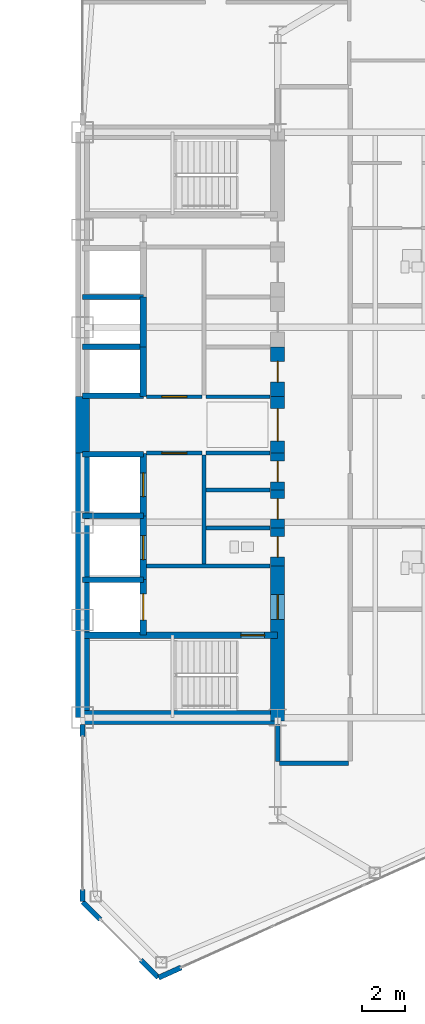
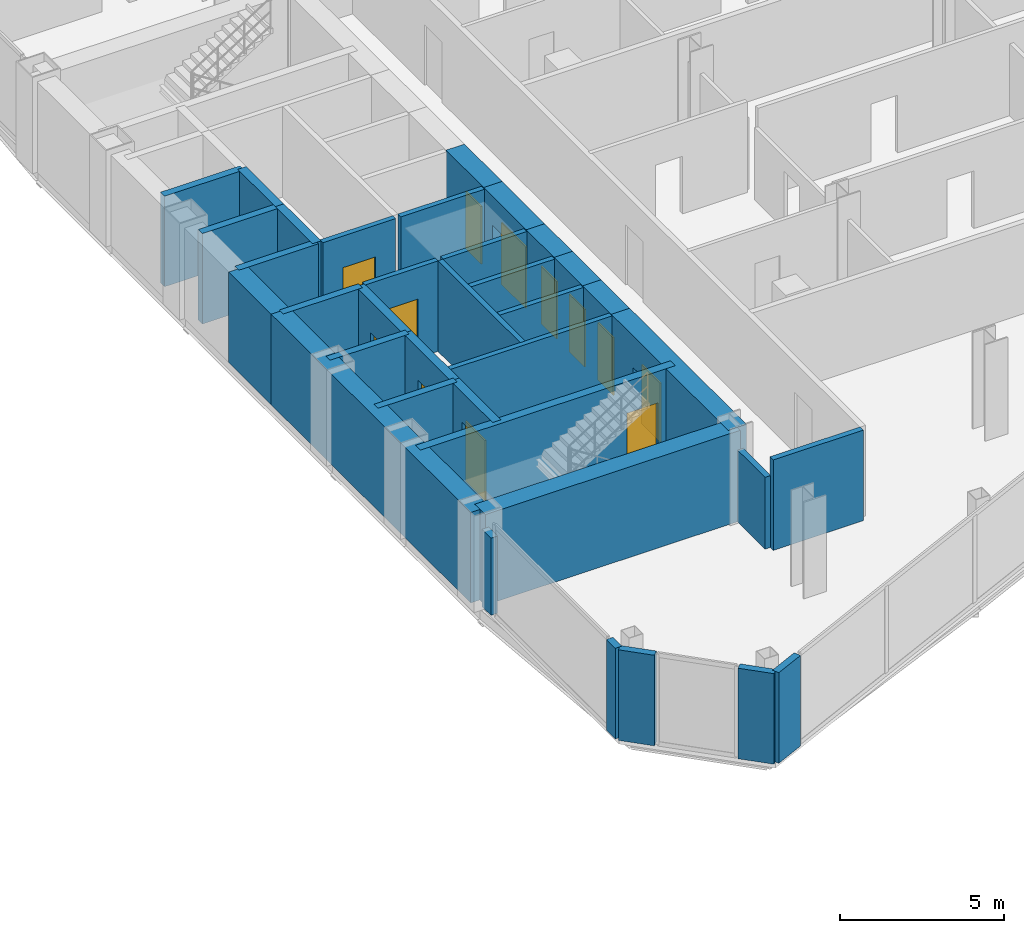
# One storey, part 22 of 27: 36 walls, 12 doors, 12 openings.
"""IFC4 building model written with IfcOpenShell, lengths in metres."""

from ifc_helpers import new_model, si_unit, direction, frame, frame_2d, origin, place, context, subcontext, project, spatial, rectangle, extrude, source, transform, mapped, material, layer, layer_set, type_object, type_shapes, element, fill, save


model = new_model("IFC4")

# Units and contexts
model_context = context("Model", 3, precision=1e-05, world=origin(), true_north=direction((0.0, 1.0)))
body_context = subcontext(model_context, "Body", "Model", "MODEL_VIEW")
ifc_project = project(units=[si_unit("LENGTHUNIT", "METRE"), si_unit("AREAUNIT", "SQUARE_METRE"), si_unit("VOLUMEUNIT", "CUBIC_METRE"), si_unit("PLANEANGLEUNIT", "RADIAN"), si_unit("MASSUNIT", "GRAM", prefix="KILO")], contexts=[model_context])

# Site, building, storey
site_placement = place(None, origin())
site = spatial("IfcSite", under=ifc_project, at=site_placement, CompositionType="ELEMENT")
building_placement = place(site_placement, origin())
building = spatial("IfcBuilding", under=site, at=building_placement, Name="Seokmaru Belvedere", CompositionType="ELEMENT")
storey_placement = place(building_placement, frame((0.0, 0.0, 76.5)))
storey = spatial("IfcBuildingStorey", under=building, at=storey_placement, Name="L20", CompositionType="ELEMENT", Elevation=76.5)

# Walls
ifc_material_1 = material(Name="Fire-Rated Gypsum Shaftwall")
ifc_layer_1 = layer(ifc_material_1, 0.179931640625)
ifc_layer_set_1 = layer_set([ifc_layer_1], Name="Fire-Rated Gypsum Shaftwall")
wall_type_1 = type_object("IfcWallType", Name="Core Service Fire Partition 180", PredefinedType="PARTITIONING", material=ifc_layer_set_1)
wall_1_placement = place(storey_placement, frame((30.449951171875, -6.5, 0.0), z_axis=(0.0, 0.0, 1.0), x_axis=(1.0, 0.0, 0.0)))
element("IfcWall", 1, at=wall_1_placement, inside=storey, type_object=wall_type_1, Name="L20 East Firefighting Lobby Partition", PredefinedType="PARTITIONING", context=body_context, shape_type="SweptSolid", body=[
    extrude(rectangle(XDim=5.699951171875, YDim=0.179931640625, at=frame_2d((2.85009765625, 0.0))), origin(), (0.0, 0.0, 1.0), 3.3798828125),
])
wall_2_placement = place(storey_placement, frame((33.10009765625, -6.419921875, 0.0), z_axis=(0.0, 0.0, 1.0), x_axis=(0.0, 1.0, 0.0)))
element("IfcWall", 2, at=wall_2_placement, inside=storey, type_object=wall_type_1, Name="L20 East South Core Service Back Wall", PredefinedType="PARTITIONING", context=body_context, shape_type="SweptSolid", body=[
    extrude(rectangle(XDim=5.0400390625, YDim=0.179931640625, at=frame_2d((2.52001953125, 0.0))), origin(), (0.0, 0.0, 1.0), 3.3798828125),
])

# Wall, opening, door
wall_3_placement = place(storey_placement, frame((30.449951171875, -1.300048828125, 0.0), z_axis=(0.0, 0.0, 1.0), x_axis=(1.0, 0.0, 0.0)))
wall_3 = element("IfcWall", 3, at=wall_3_placement, inside=storey, type_object=wall_type_1, Name="L20 East South Lift Lobby Foyer Wall", PredefinedType="PARTITIONING", context=body_context, shape_type="SweptSolid", body=[
    extrude(rectangle(XDim=2.570068359375, YDim=0.179931640625, at=frame_2d((1.28515625, 0.0))), origin(), (0.0, 0.0, 1.0), 3.3798828125),
])
opening_1_placement = place(wall_3_placement, frame((0.7099609375, 0.0, 0.0)))
opening_1 = element("IfcOpeningElement", 4, at=opening_1_placement, cuts=wall_3, Name="Opening D02", PredefinedType="OPENING", context=body_context, shape_type="SweptSolid", body=[
    extrude(rectangle(XDim=1.14990234375, YDim=2.199951171875, at=frame_2d((0.574951171875, 1.10009765625))), frame((0.0, 0.10009765625, 0.0), z_axis=(0.0, -1.0, 0.0), x_axis=(1.0, 0.0, 0.0)), (0.0, 0.0, 1.0), 0.199951171875),
])
ifc_material_2 = material(Name="Fire-Rated Steel Leaf", Category="steel")
door_type_1 = type_object("IfcDoorType", Name="Lobby and Vestibule Fire Door 1150x2200", OperationType="NOTDEFINED", PredefinedType="DOOR", material=ifc_material_2)
shared_shape_1 = source(origin(), body_context, "Body", "SweptSolid", [
    extrude(rectangle(XDim=1.14990234375, YDim=2.199951171875, at=frame_2d((0.574951171875, 1.10009765625))), frame((0.0, 0.02490234375, 0.0), z_axis=(0.0, -1.0, 0.0), x_axis=(1.0, 0.0, 0.0)), (0.0, 0.0, 1.0), 0.050048828125),
])
type_shapes(door_type_1, [shared_shape_1])
door_1_placement = place(opening_1_placement, origin())
door_1 = element("IfcDoor", 5, at=door_1_placement, inside=storey, type_object=door_type_1, Name="L20 East South Core Foyer Door", OperationType="SINGLE_SWING_RIGHT", OverallHeight=2.199951171875, OverallWidth=1.14990234375, PredefinedType="DOOR", context=body_context, shape_type="MappedRepresentation", body=[
    mapped(shared_shape_1, transform((0.0, 0.0, 0.0), scale=1.0)),
])
fill(opening_1, door_1)

wall_4_placement = place(storey_placement, frame((30.449951171875, 1.300048828125, 0.0), z_axis=(0.0, 0.0, 1.0), x_axis=(1.0, 0.0, 0.0)))
wall_4 = element("IfcWall", 6, at=wall_4_placement, inside=storey, type_object=wall_type_1, Name="L20 East North Lift Lobby Foyer Wall", PredefinedType="PARTITIONING", context=body_context, shape_type="SweptSolid", body=[
    extrude(rectangle(XDim=2.570068359375, YDim=0.179931640625, at=frame_2d((1.28515625, 0.0))), origin(), (0.0, 0.0, 1.0), 3.3798828125),
])
opening_2_placement = place(wall_4_placement, frame((0.7099609375, 0.0, 0.0)))
opening_2 = element("IfcOpeningElement", 7, at=opening_2_placement, cuts=wall_4, Name="Opening D02", PredefinedType="OPENING", context=body_context, shape_type="SweptSolid", body=[
    extrude(rectangle(XDim=1.14990234375, YDim=2.199951171875, at=frame_2d((0.574951171875, 1.10009765625))), frame((0.0, 0.10009765625, 0.0), z_axis=(0.0, -1.0, 0.0), x_axis=(1.0, 0.0, 0.0)), (0.0, 0.0, 1.0), 0.199951171875),
])
door_2_placement = place(opening_2_placement, origin())
door_2 = element("IfcDoor", 8, at=door_2_placement, inside=storey, type_object=door_type_1, Name="L20 East North Lift Lobby Door", OperationType="SINGLE_SWING_LEFT", OverallHeight=2.199951171875, OverallWidth=1.14990234375, PredefinedType="DOOR", context=body_context, shape_type="MappedRepresentation", body=[
    mapped(shared_shape_1, transform((0.0, 0.0, 0.0), scale=1.0)),
])
fill(opening_2, door_2)

# Walls
for number, where, z_axis, x_axis, name in (
    (9, (33.199951171875, -1.300048828125, 0.0), (0.0, 0.0, 1.0), (1.0, 0.0, 0.0), "L20 East Foyer Side Wall S"),
    (10, (33.199951171875, 1.300048828125, 0.0), (0.0, 0.0, 1.0), (1.0, 0.0, 0.0), "L20 East Foyer Side Wall N"),
    (11, (33.199951171875, -4.75, 0.0), (0.0, 0.0, 1.0), (1.0, 0.0, 0.0), "L20 East Core Service Partition 1"),
    (12, (33.199951171875, -3.0, 0.0), (0.0, 0.0, 1.0), (1.0, 0.0, 0.0), "L20 East Core Service Partition 2"),
):
    element("IfcWall", number, at=place(storey_placement, frame(where, z_axis=z_axis, x_axis=x_axis)), inside=storey, type_object=wall_type_1, Name=name, PredefinedType="PARTITIONING", context=body_context, shape_type="SweptSolid", body=[
        extrude(rectangle(XDim=2.949951171875, YDim=0.179931640625, at=frame_2d((1.47509765625, 0.0))), origin(), (0.0, 0.0, 1.0), 3.3798828125),
    ])
ifc_material_3 = material(Name="Concrete C50 (50 MPa)", Category="concrete")
ifc_layer_2 = layer(ifc_material_3, 0.25)
ifc_layer_set_2 = layer_set([ifc_layer_2], Name="Concrete C50 (50 MPa)")
wall_type_2 = type_object("IfcWallType", Name="Hoistway Transverse Concrete Divider Wall 250", PredefinedType="SHEAR", material=ifc_layer_set_2)
for number, where, z_axis, x_axis, name in (
    (13, (27.5, -7.14990234375, 0.0), (0.0, 0.0, 1.0), (1.0, 0.0, 0.0), "L20 East Hoistway Divider Core Wall 1"),
    (14, (27.5, -4.199951171875, 0.0), (0.0, 0.0, 1.0), (1.0, 0.0, 0.0), "L20 East Hoistway Divider Core Wall 2"),
    (15, (27.5, -1.35009765625, 0.0), (0.0, 0.0, 1.0), (1.0, 0.0, 0.0), "L20 East Hoistway Divider Core Wall 3"),
    (16, (27.5, 1.35009765625, 0.0), (0.0, 0.0, 1.0), (1.0, 0.0, 0.0), "L20 East Hoistway Divider Core Wall 4"),
    (17, (27.5, 3.60009765625, 0.0), (0.0, 0.0, 1.0), (1.0, 0.0, 0.0), "L20 East Hoistway Divider Core Wall 5"),
    (18, (27.5, 5.89990234375, 0.0), (0.0, 0.0, 1.0), (1.0, 0.0, 0.0), "L20 East Hoistway Divider Core Wall 6"),
):
    element("IfcWall", number, at=place(storey_placement, frame(where, z_axis=z_axis, x_axis=x_axis)), inside=storey, type_object=wall_type_2, Name=name, PredefinedType="SHEAR", context=body_context, shape_type="SweptSolid", body=[
        extrude(rectangle(XDim=2.800048828125, YDim=0.25, at=frame_2d((1.39990234375, 0.0))), origin(), (0.0, 0.0, 1.0), 3.3798828125),
    ])
ifc_layer_3 = layer(ifc_material_1, 0.199951171875)
ifc_layer_set_3 = layer_set([ifc_layer_3], Name="Fire-Rated Gypsum Shaftwall")
wall_type_3 = type_object("IfcWallType", Name="Inter-Tenancy Fire Compartment Partition 200", PredefinedType="PARTITIONING", material=ifc_layer_set_3)
wall_5_placement = place(storey_placement, frame((36.5849609375, -15.60009765625, 0.0), z_axis=(0.0, 0.0, 1.0), x_axis=(1.0, 0.0, 0.0)))
element("IfcWall", 19, at=wall_5_placement, inside=storey, type_object=wall_type_3, Name="L20 Interior Partition 003", PredefinedType="PARTITIONING", context=body_context, shape_type="SweptSolid", body=[
    extrude(rectangle(XDim=3.179931640625, YDim=0.199951171875, at=frame_2d((1.58984375, 0.0))), origin(), (0.0, 0.0, 1.0), 3.3798828125),
])
wall_6_placement = place(storey_placement, frame((36.5, -15.514892578125, 0.0), z_axis=(0.0, 0.0, 1.0), x_axis=(0.0, 1.0, 0.0)))
element("IfcWall", 20, at=wall_6_placement, inside=storey, type_object=wall_type_3, Name="L20 Interior Partition 043", PredefinedType="PARTITIONING", context=body_context, shape_type="SweptSolid", body=[
    extrude(rectangle(XDim=1.684814453125, YDim=0.199951171875, at=frame_2d((0.84228515625, 0.0))), origin(), (0.0, 0.0, 1.0), 2.679931640625),
])

# Wall, opening, door
ifc_layer_4 = layer(ifc_material_3, 0.300048828125)
ifc_layer_set_4 = layer_set([ifc_layer_4], Name="Concrete C50 (50 MPa)")
wall_type_4 = type_object("IfcWallType", Name="Internal Core Stair and Hoistway Wall 300", PredefinedType="SHEAR", material=ifc_layer_set_4)
wall_7_placement = place(storey_placement, frame((27.5, -9.699951171875, 0.0), z_axis=(0.0, 0.0, 1.0), x_axis=(1.0, 0.0, 0.0)))
wall_7 = element("IfcWall", 21, at=wall_7_placement, inside=storey, type_object=wall_type_4, Name="L20 East Stair ST-1 Enclosure Wall", PredefinedType="SHEAR", context=body_context, shape_type="SweptSolid", body=[
    extrude(rectangle(XDim=9.0, YDim=0.300048828125, at=frame_2d((4.5, 0.0))), origin(), (0.0, 0.0, 1.0), 3.3798828125),
])
opening_3_placement = place(wall_7_placement, frame((7.300048828125, 0.0, 0.0)))
opening_3 = element("IfcOpeningElement", 22, at=opening_3_placement, cuts=wall_7, Name="Opening D01", PredefinedType="OPENING", context=body_context, shape_type="SweptSolid", body=[
    extrude(rectangle(XDim=1.10009765625, YDim=2.199951171875, at=frame_2d((0.550048828125, 1.10009765625))), frame((0.0, 0.16015625, 0.0), z_axis=(0.0, -1.0, 0.0), x_axis=(1.0, 0.0, 0.0)), (0.0, 0.0, 1.0), 0.320068359375),
])
door_type_2 = type_object("IfcDoorType", Name="Special Escape Stair Smokeproof Fire Door 1100x2200", OperationType="NOTDEFINED", PredefinedType="DOOR", material=ifc_material_2)
shared_shape_2 = source(origin(), body_context, "Body", "SweptSolid", [
    extrude(rectangle(XDim=1.10009765625, YDim=2.199951171875, at=frame_2d((0.550048828125, 1.10009765625))), frame((0.0, 0.02490234375, 0.0), z_axis=(0.0, -1.0, 0.0), x_axis=(1.0, 0.0, 0.0)), (0.0, 0.0, 1.0), 0.050048828125),
])
type_shapes(door_type_2, [shared_shape_2])
door_3_placement = place(opening_3_placement, frame((1.10009765625, 0.0, 0.0), z_axis=(0.0, 0.0, 1.0), x_axis=(-1.0, 0.0, 0.0)))
door_3 = element("IfcDoor", 23, at=door_3_placement, inside=storey, type_object=door_type_2, Name="L20 East Special Escape Stair ST-1 Door", OperationType="SINGLE_SWING_RIGHT", OverallHeight=2.199951171875, OverallWidth=1.10009765625, PredefinedType="DOOR", context=body_context, shape_type="MappedRepresentation", body=[
    mapped(shared_shape_2, transform((0.0, 0.0, 0.0), scale=1.0)),
])
fill(opening_3, door_3)

wall_8_placement = place(storey_placement, frame((30.300048828125, -9.679931640625, 0.0), z_axis=(0.0, 0.0, 1.0), x_axis=(0.0, 1.0, 0.0)))
wall_8 = element("IfcWall", 24, at=wall_8_placement, inside=storey, type_object=wall_type_4, Name="L20 East Firefighting Lift Shaft Front Wall", PredefinedType="SHEAR", context=body_context, shape_type="SweptSolid", body=[
    extrude(rectangle(XDim=2.559814453125, YDim=0.300048828125, at=frame_2d((1.27978515625, 0.0))), origin(), (0.0, 0.0, 1.0), 3.3798828125),
])
opening_4_placement = place(wall_8_placement, frame((0.679931640625, 0.0, 0.0)))
opening_4 = element("IfcOpeningElement", 25, at=opening_4_placement, cuts=wall_8, Name="Opening LD2", PredefinedType="OPENING", context=body_context, shape_type="SweptSolid", body=[
    extrude(rectangle(XDim=1.199951171875, YDim=2.25, at=frame_2d((0.60009765625, 1.125))), frame((0.0, 0.16015625, 0.0), z_axis=(0.0, -1.0, 0.0), x_axis=(1.0, 0.0, 0.0)), (0.0, 0.0, 1.0), 0.320068359375),
])
ifc_material_4 = material(Name="Stainless Steel 316", Category="steel")
door_type_3 = type_object("IfcDoorType", Name="Firefighting Lift Sliding Landing Door 1200x2250", OperationType="DOUBLE_DOOR_SLIDING", PredefinedType="DOOR", material=ifc_material_4)
shared_shape_3 = source(origin(), body_context, "Body", "SweptSolid", [
    extrude(rectangle(XDim=1.199951171875, YDim=2.25, at=frame_2d((0.60009765625, 1.125))), frame((0.0, 0.02490234375, 0.0), z_axis=(0.0, -1.0, 0.0), x_axis=(1.0, 0.0, 0.0)), (0.0, 0.0, 1.0), 0.050048828125),
])
type_shapes(door_type_3, [shared_shape_3])
door_4_placement = place(opening_4_placement, origin())
door_4 = element("IfcDoor", 26, at=door_4_placement, inside=storey, type_object=door_type_3, Name="L20 East Firefighting Lift Landing Door", OperationType="DOUBLE_DOOR_SLIDING", OverallHeight=2.25, OverallWidth=1.199951171875, PredefinedType="DOOR", context=body_context, shape_type="MappedRepresentation", body=[
    mapped(shared_shape_3, transform((0.0, 0.0, 0.0), scale=1.0)),
])
fill(opening_4, door_4)

wall_9_placement = place(storey_placement, frame((30.300048828125, -7.1201171875, 0.0), z_axis=(0.0, 0.0, 1.0), x_axis=(0.0, 1.0, 0.0)))
wall_9 = element("IfcWall", 27, at=wall_9_placement, inside=storey, type_object=wall_type_4, Name="L20 East Low-Rise Lift PL-1 Front Wall", PredefinedType="SHEAR", context=body_context, shape_type="SweptSolid", body=[
    extrude(rectangle(XDim=2.920166015625, YDim=0.300048828125, at=frame_2d((1.4599609375, 0.0))), origin(), (0.0, 0.0, 1.0), 3.3798828125),
])
opening_5_placement = place(wall_9_placement, frame((0.909912109375, 0.0, 0.0)))
opening_5 = element("IfcOpeningElement", 28, at=opening_5_placement, cuts=wall_9, Name="Opening LD1", PredefinedType="OPENING", context=body_context, shape_type="SweptSolid", body=[
    extrude(rectangle(XDim=1.10009765625, YDim=2.199951171875, at=frame_2d((0.550048828125, 1.10009765625))), frame((0.0, 0.16015625, 0.0), z_axis=(0.0, -1.0, 0.0), x_axis=(1.0, 0.0, 0.0)), (0.0, 0.0, 1.0), 0.320068359375),
])
door_type_4 = type_object("IfcDoorType", Name="Passenger Lift Sliding Landing Door 1100x2200", OperationType="DOUBLE_DOOR_SLIDING", PredefinedType="DOOR", material=ifc_material_4)
shared_shape_4 = source(origin(), body_context, "Body", "SweptSolid", [
    extrude(rectangle(XDim=1.10009765625, YDim=2.199951171875, at=frame_2d((0.550048828125, 1.10009765625))), frame((0.0, 0.02490234375, 0.0), z_axis=(0.0, -1.0, 0.0), x_axis=(1.0, 0.0, 0.0)), (0.0, 0.0, 1.0), 0.050048828125),
])
type_shapes(door_type_4, [shared_shape_4])
door_5_placement = place(opening_5_placement, origin())
door_5 = element("IfcDoor", 29, at=door_5_placement, inside=storey, type_object=door_type_4, Name="L20 East Low-Rise Lift PL-1 Landing Door", OperationType="DOUBLE_DOOR_SLIDING", OverallHeight=2.199951171875, OverallWidth=1.10009765625, PredefinedType="DOOR", context=body_context, shape_type="MappedRepresentation", body=[
    mapped(shared_shape_4, transform((0.0, 0.0, 0.0), scale=1.0)),
])
fill(opening_5, door_5)

wall_10_placement = place(storey_placement, frame((30.300048828125, -4.199951171875, 0.0), z_axis=(0.0, 0.0, 1.0), x_axis=(0.0, 1.0, 0.0)))
wall_10 = element("IfcWall", 30, at=wall_10_placement, inside=storey, type_object=wall_type_4, Name="L20 East Low-Rise Lift PL-2 Front Wall", PredefinedType="SHEAR", context=body_context, shape_type="SweptSolid", body=[
    extrude(rectangle(XDim=2.8798828125, YDim=0.300048828125, at=frame_2d((1.43994140625, 0.0))), origin(), (0.0, 0.0, 1.0), 3.3798828125),
])
opening_6_placement = place(wall_10_placement, frame((0.889892578125, 0.0, 0.0)))
opening_6 = element("IfcOpeningElement", 31, at=opening_6_placement, cuts=wall_10, Name="Opening LD1", PredefinedType="OPENING", context=body_context, shape_type="SweptSolid", body=[
    extrude(rectangle(XDim=1.10009765625, YDim=2.199951171875, at=frame_2d((0.550048828125, 1.10009765625))), frame((0.0, 0.16015625, 0.0), z_axis=(0.0, -1.0, 0.0), x_axis=(1.0, 0.0, 0.0)), (0.0, 0.0, 1.0), 0.320068359375),
])
door_6_placement = place(opening_6_placement, origin())
door_6 = element("IfcDoor", 32, at=door_6_placement, inside=storey, type_object=door_type_4, Name="L20 East Low-Rise Lift PL-2 Landing Door", OperationType="DOUBLE_DOOR_SLIDING", OverallHeight=2.199951171875, OverallWidth=1.10009765625, PredefinedType="DOOR", context=body_context, shape_type="MappedRepresentation", body=[
    mapped(shared_shape_4, transform((0.0, 0.0, 0.0), scale=1.0)),
])
fill(opening_6, door_6)

# Walls
wall_11_placement = place(storey_placement, frame((30.300048828125, 1.320068359375, 0.0), z_axis=(0.0, 0.0, 1.0), x_axis=(0.0, 1.0, 0.0)))
element("IfcWall", 33, at=wall_11_placement, inside=storey, type_object=wall_type_4, Name="L20 East North Hoistway Wall PH1", PredefinedType="SHEAR", context=body_context, shape_type="SweptSolid", body=[
    extrude(rectangle(XDim=2.280029296875, YDim=0.300048828125, at=frame_2d((1.14013671875, 0.0))), origin(), (0.0, 0.0, 1.0), 3.3798828125),
])
wall_12_placement = place(storey_placement, frame((30.300048828125, 3.60009765625, 0.0), z_axis=(0.0, 0.0, 1.0), x_axis=(0.0, 1.0, 0.0)))
element("IfcWall", 34, at=wall_12_placement, inside=storey, type_object=wall_type_4, Name="L20 East North Hoistway Wall PH2", PredefinedType="SHEAR", context=body_context, shape_type="SweptSolid", body=[
    extrude(rectangle(XDim=2.2998046875, YDim=0.300048828125, at=frame_2d((1.14990234375, 0.0))), origin(), (0.0, 0.0, 1.0), 3.3798828125),
])
ifc_material_5 = material(Name="Concrete C60 (60 MPa)", Category="concrete")
ifc_layer_5 = layer(ifc_material_5, 0.64990234375)
ifc_layer_set_5 = layer_set([ifc_layer_5], Name="Concrete C60 (60 MPa)")
wall_type_5 = type_object("IfcWallType", Name="Mid-Low Reinforced Concrete Core Wall 650", PredefinedType="SHEAR", material=ifc_layer_set_5)
wall_13_placement = place(storey_placement, frame((27.5, -13.5, 0.0), z_axis=(0.0, 0.0, 1.0), x_axis=(0.0, 1.0, 0.0)))
element("IfcWall", 35, at=wall_13_placement, inside=storey, type_object=wall_type_5, Name="L20 East Portal Spine Core Wall South", PredefinedType="SHEAR", context=body_context, shape_type="SweptSolid", body=[
    extrude(rectangle(XDim=12.199951171875, YDim=0.64990234375, at=frame_2d((6.10009765625, 0.0))), origin(), (0.0, 0.0, 1.0), 3.3798828125),
])
wall_14_placement = place(storey_placement, frame((27.5, -1.300048828125, 0.0), z_axis=(0.0, 0.0, 1.0), x_axis=(0.0, 1.0, 0.0)))
element("IfcWall", 36, at=wall_14_placement, inside=storey, type_object=wall_type_5, Name="L20 East Portal Spine Core Wall Center", PredefinedType="SHEAR", context=body_context, shape_type="SweptSolid", body=[
    extrude(rectangle(XDim=2.60009765625, YDim=0.64990234375, at=frame_2d((1.300048828125, 0.0))), origin(), (0.0, 0.0, 1.0), 3.3798828125),
])
wall_15_placement = place(storey_placement, frame((27.5, -13.5, 0.0), z_axis=(0.0, 0.0, 1.0), x_axis=(1.0, 0.0, 0.0)))
element("IfcWall", 37, at=wall_15_placement, inside=storey, type_object=wall_type_5, Name="L20 East South Core Wall", PredefinedType="SHEAR", context=body_context, shape_type="SweptSolid", body=[
    extrude(rectangle(XDim=9.0, YDim=0.64990234375, at=frame_2d((4.5, 0.0))), origin(), (0.0, 0.0, 1.0), 3.3798828125),
])

# Wall, opening, door
wall_16_placement = place(storey_placement, frame((36.5, -13.64990234375, 0.0), z_axis=(0.0, 0.0, 1.0), x_axis=(0.0, 1.0, 0.0)))
wall_16 = element("IfcWall", 38, at=wall_16_placement, inside=storey, type_object=wall_type_5, Name="L20 East West Core Wall FF", PredefinedType="SHEAR", context=body_context, shape_type="SweptSolid", body=[
    extrude(rectangle(XDim=7.14990234375, YDim=0.64990234375, at=frame_2d((3.574951171875, 0.0))), origin(), (0.0, 0.0, 1.0), 3.3798828125),
])
opening_7_placement = place(wall_16_placement, frame((4.675048828125, 0.0, 0.0)))
opening_7 = element("IfcOpeningElement", 39, at=opening_7_placement, cuts=wall_16, Name="Opening D02", PredefinedType="OPENING", context=body_context, shape_type="SweptSolid", body=[
    extrude(rectangle(XDim=1.14990234375, YDim=2.199951171875, at=frame_2d((0.574951171875, 1.10009765625))), frame((0.0, 0.3349609375, 0.0), z_axis=(0.0, -1.0, 0.0), x_axis=(1.0, 0.0, 0.0)), (0.0, 0.0, 1.0), 0.669921875),
])
door_7_placement = place(opening_7_placement, origin())
door_7 = element("IfcDoor", 40, at=door_7_placement, inside=storey, type_object=door_type_1, Name="L20 East Firefighting Lobby Door", OperationType="SINGLE_SWING_RIGHT", OverallHeight=2.199951171875, OverallWidth=1.14990234375, PredefinedType="DOOR", context=body_context, shape_type="MappedRepresentation", body=[
    mapped(shared_shape_1, transform((0.0, 0.0, 0.0), scale=1.0)),
])
fill(opening_7, door_7)

wall_17_placement = place(storey_placement, frame((36.5, -1.300048828125, 0.0), z_axis=(0.0, 0.0, 1.0), x_axis=(0.0, 1.0, 0.0)))
wall_17 = element("IfcWall", 41, at=wall_17_placement, inside=storey, type_object=wall_type_5, Name="L20 East West Core Wall FOY", PredefinedType="SHEAR", context=body_context, shape_type="SweptSolid", body=[
    extrude(rectangle(XDim=2.60009765625, YDim=0.64990234375, at=frame_2d((1.300048828125, 0.0))), origin(), (0.0, 0.0, 1.0), 3.3798828125),
])
opening_8_placement = place(wall_17_placement, frame((0.550048828125, 0.0, 0.0)))
opening_8 = element("IfcOpeningElement", 42, at=opening_8_placement, cuts=wall_17, Name="Opening D08", PredefinedType="OPENING", context=body_context, shape_type="SweptSolid", body=[
    extrude(rectangle(XDim=1.5, YDim=2.300048828125, at=frame_2d((0.75, 1.14990234375))), frame((0.0, 0.3349609375, 0.0), z_axis=(0.0, -1.0, 0.0), x_axis=(1.0, 0.0, 0.0)), (0.0, 0.0, 1.0), 0.669921875),
])
door_type_5 = type_object("IfcDoorType", Name="Cross-Corridor Compartment Double Fire Door 1500x2300", OperationType="DOUBLE_SWING_LEFT", PredefinedType="DOOR", material=ifc_material_2)
shared_shape_5 = source(origin(), body_context, "Body", "SweptSolid", [
    extrude(rectangle(XDim=1.5, YDim=2.300048828125, at=frame_2d((0.75, 1.14990234375))), frame((0.0, 0.02490234375, 0.0), z_axis=(0.0, -1.0, 0.0), x_axis=(1.0, 0.0, 0.0)), (0.0, 0.0, 1.0), 0.050048828125),
])
type_shapes(door_type_5, [shared_shape_5])
door_8_placement = place(opening_8_placement, origin())
door_8 = element("IfcDoor", 43, at=door_8_placement, inside=storey, type_object=door_type_5, Name="L20 East Core Foyer Compartment Door", OperationType="DOUBLE_SWING_LEFT", OverallHeight=2.300048828125, OverallWidth=1.5, PredefinedType="DOOR", context=body_context, shape_type="MappedRepresentation", body=[
    mapped(shared_shape_5, transform((0.0, 0.0, 0.0), scale=1.0)),
])
fill(opening_8, door_8)

wall_18_placement = place(storey_placement, frame((36.5, -6.5, 0.0), z_axis=(0.0, 0.0, 1.0), x_axis=(0.0, 1.0, 0.0)))
wall_18 = element("IfcWall", 44, at=wall_18_placement, inside=storey, type_object=wall_type_5, Name="L20 East West Core Wall CS1", PredefinedType="SHEAR", context=body_context, shape_type="SweptSolid", body=[
    extrude(rectangle(XDim=1.75, YDim=0.64990234375, at=frame_2d((0.875, 0.0))), origin(), (0.0, 0.0, 1.0), 3.3798828125),
])
opening_9_placement = place(wall_18_placement, frame((0.39990234375, 0.0, 0.0)))
opening_9 = element("IfcOpeningElement", 45, at=opening_9_placement, cuts=wall_18, Name="Opening D04", PredefinedType="OPENING", context=body_context, shape_type="SweptSolid", body=[
    extrude(rectangle(XDim=0.949951171875, YDim=2.14990234375, at=frame_2d((0.47509765625, 1.074951171875))), frame((0.0, 0.3349609375, 0.0), z_axis=(0.0, -1.0, 0.0), x_axis=(1.0, 0.0, 0.0)), (0.0, 0.0, 1.0), 0.669921875),
])
door_type_6 = type_object("IfcDoorType", Name="Core Service Room Fire Door 950x2150", OperationType="NOTDEFINED", PredefinedType="DOOR", material=ifc_material_2)
shared_shape_6 = source(origin(), body_context, "Body", "SweptSolid", [
    extrude(rectangle(XDim=0.949951171875, YDim=2.14990234375, at=frame_2d((0.47509765625, 1.074951171875))), frame((0.0, 0.02490234375, 0.0), z_axis=(0.0, -1.0, 0.0), x_axis=(1.0, 0.0, 0.0)), (0.0, 0.0, 1.0), 0.050048828125),
])
type_shapes(door_type_6, [shared_shape_6])
door_9_placement = place(opening_9_placement, origin())
door_9 = element("IfcDoor", 46, at=door_9_placement, inside=storey, type_object=door_type_6, Name="L20 East Core Service Room Door 1", OperationType="SINGLE_SWING_RIGHT", OverallHeight=2.14990234375, OverallWidth=0.949951171875, PredefinedType="DOOR", context=body_context, shape_type="MappedRepresentation", body=[
    mapped(shared_shape_6, transform((0.0, 0.0, 0.0), scale=1.0)),
])
fill(opening_9, door_9)

wall_19_placement = place(storey_placement, frame((36.5, -4.75, 0.0), z_axis=(0.0, 0.0, 1.0), x_axis=(0.0, 1.0, 0.0)))
wall_19 = element("IfcWall", 47, at=wall_19_placement, inside=storey, type_object=wall_type_5, Name="L20 East West Core Wall CS2", PredefinedType="SHEAR", context=body_context, shape_type="SweptSolid", body=[
    extrude(rectangle(XDim=1.75, YDim=0.64990234375, at=frame_2d((0.875, 0.0))), origin(), (0.0, 0.0, 1.0), 3.3798828125),
])
opening_10_placement = place(wall_19_placement, frame((0.39990234375, 0.0, 0.0)))
opening_10 = element("IfcOpeningElement", 48, at=opening_10_placement, cuts=wall_19, Name="Opening D04", PredefinedType="OPENING", context=body_context, shape_type="SweptSolid", body=[
    extrude(rectangle(XDim=0.949951171875, YDim=2.14990234375, at=frame_2d((0.47509765625, 1.074951171875))), frame((0.0, 0.3349609375, 0.0), z_axis=(0.0, -1.0, 0.0), x_axis=(1.0, 0.0, 0.0)), (0.0, 0.0, 1.0), 0.669921875),
])
door_10_placement = place(opening_10_placement, origin())
door_10 = element("IfcDoor", 49, at=door_10_placement, inside=storey, type_object=door_type_6, Name="L20 East Core Service Room Door 2", OperationType="SINGLE_SWING_LEFT", OverallHeight=2.14990234375, OverallWidth=0.949951171875, PredefinedType="DOOR", context=body_context, shape_type="MappedRepresentation", body=[
    mapped(shared_shape_6, transform((0.0, 0.0, 0.0), scale=1.0)),
])
fill(opening_10, door_10)

wall_20_placement = place(storey_placement, frame((36.5, -3.0, 0.0), z_axis=(0.0, 0.0, 1.0), x_axis=(0.0, 1.0, 0.0)))
wall_20 = element("IfcWall", 50, at=wall_20_placement, inside=storey, type_object=wall_type_5, Name="L20 East West Core Wall CS3", PredefinedType="SHEAR", context=body_context, shape_type="SweptSolid", body=[
    extrude(rectangle(XDim=1.699951171875, YDim=0.64990234375, at=frame_2d((0.85009765625, 0.0))), origin(), (0.0, 0.0, 1.0), 3.3798828125),
])
opening_11_placement = place(wall_20_placement, frame((0.375, 0.0, 0.0)))
opening_11 = element("IfcOpeningElement", 51, at=opening_11_placement, cuts=wall_20, Name="Opening D04", PredefinedType="OPENING", context=body_context, shape_type="SweptSolid", body=[
    extrude(rectangle(XDim=0.949951171875, YDim=2.14990234375, at=frame_2d((0.47509765625, 1.074951171875))), frame((0.0, 0.3349609375, 0.0), z_axis=(0.0, -1.0, 0.0), x_axis=(1.0, 0.0, 0.0)), (0.0, 0.0, 1.0), 0.669921875),
])
door_11_placement = place(opening_11_placement, origin())
door_11 = element("IfcDoor", 52, at=door_11_placement, inside=storey, type_object=door_type_6, Name="L20 East Core Service Room Door 3", OperationType="SINGLE_SWING_RIGHT", OverallHeight=2.14990234375, OverallWidth=0.949951171875, PredefinedType="DOOR", context=body_context, shape_type="MappedRepresentation", body=[
    mapped(shared_shape_6, transform((0.0, 0.0, 0.0), scale=1.0)),
])
fill(opening_11, door_11)

wall_21_placement = place(storey_placement, frame((36.5, 1.300048828125, 0.0), z_axis=(0.0, 0.0, 1.0), x_axis=(0.0, 1.0, 0.0)))
wall_21 = element("IfcWall", 53, at=wall_21_placement, inside=storey, type_object=wall_type_5, Name="L20 East West Core Wall CS4", PredefinedType="SHEAR", context=body_context, shape_type="SweptSolid", body=[
    extrude(rectangle(XDim=2.300048828125, YDim=0.64990234375, at=frame_2d((1.14990234375, 0.0))), origin(), (0.0, 0.0, 1.0), 3.3798828125),
])
opening_12_placement = place(wall_21_placement, frame((0.675048828125, 0.0, 0.0)))
opening_12 = element("IfcOpeningElement", 54, at=opening_12_placement, cuts=wall_21, Name="Opening D04", PredefinedType="OPENING", context=body_context, shape_type="SweptSolid", body=[
    extrude(rectangle(XDim=0.949951171875, YDim=2.14990234375, at=frame_2d((0.47509765625, 1.074951171875))), frame((0.0, 0.3349609375, 0.0), z_axis=(0.0, -1.0, 0.0), x_axis=(1.0, 0.0, 0.0)), (0.0, 0.0, 1.0), 0.669921875),
])
door_12_placement = place(opening_12_placement, origin())
door_12 = element("IfcDoor", 55, at=door_12_placement, inside=storey, type_object=door_type_6, Name="L20 East Core Service Room Door 4", OperationType="SINGLE_SWING_LEFT", OverallHeight=2.14990234375, OverallWidth=0.949951171875, PredefinedType="DOOR", context=body_context, shape_type="MappedRepresentation", body=[
    mapped(shared_shape_6, transform((0.0, 0.0, 0.0), scale=1.0)),
])
fill(opening_12, door_12)

# Walls
ifc_material_6 = material(Name="Anodised Bronze Aluminium", Category="aluminium")
ifc_layer_6 = layer(ifc_material_6, 0.239990234375)
ifc_layer_set_6 = layer_set([ifc_layer_6], Name="Anodised Bronze Aluminium")
wall_type_6 = type_object("IfcWallType", Name="Tower Corner Spandrel Closure Wall 240", PredefinedType="SOLIDWALL", material=ifc_layer_set_6)
wall_22_placement = place(storey_placement, frame((31.009033203125, -25.495849609375, 0.0), z_axis=(0.0, 0.0, 1.0), x_axis=(0.911929519623, 0.410346866979, 0.0)))
element("IfcWall", 56, at=wall_22_placement, inside=storey, type_object=wall_type_6, Name="L20 E Corner Closure Pier 1A", PredefinedType="SOLIDWALL", context=body_context, shape_type="SweptSolid", body=[
    extrude(rectangle(XDim=1.139892578125, YDim=0.239990234375, at=frame_2d((0.56982421875, 0.0))), origin(), (0.0, 0.0, 1.0), 3.3798828125),
])
wall_23_placement = place(storey_placement, frame((27.5, -21.97998046875, 0.0), z_axis=(0.0, 0.0, 1.0), x_axis=(0.0, 1.0, 0.0)))
element("IfcWall", 57, at=wall_23_placement, inside=storey, type_object=wall_type_6, Name="L20 E Spine Closure Pier 1A", PredefinedType="SOLIDWALL", context=body_context, shape_type="SweptSolid", body=[
    extrude(rectangle(XDim=0.550048828125, YDim=0.239990234375, at=frame_2d((0.27490234375, 0.0))), origin(), (0.0, 0.0, 1.0), 3.3798828125),
])
wall_24_placement = place(storey_placement, frame((27.5, -14.3798828125, 0.0), z_axis=(0.0, 0.0, 1.0), x_axis=(0.0, 1.0, 0.0)))
element("IfcWall", 58, at=wall_24_placement, inside=storey, type_object=wall_type_6, Name="L20 E Spine Closure Pier 1B", PredefinedType="SOLIDWALL", context=body_context, shape_type="SweptSolid", body=[
    extrude(rectangle(XDim=0.5498046875, YDim=0.239990234375, at=frame_2d((0.27490234375, 0.0))), origin(), (0.0, 0.0, 1.0), 2.8798828125),
])
for number, where, z_axis, x_axis, name in (
    (59, (27.507080078125, -22.007080078125, 0.0), (0.0, 0.0, 1.0), (0.707106781187, -0.707106781187, 0.0), "L20 E Corner Closure Pier 6A"),
    (60, (30.186767578125, -24.686767578125, 0.0), (0.0, 0.0, 1.0), (0.707106781187, -0.707106781187, 0.0), "L20 E Corner Closure Pier 6B"),
):
    element("IfcWall", number, at=place(storey_placement, frame(where, z_axis=z_axis, x_axis=x_axis)), inside=storey, type_object=wall_type_6, Name=name, PredefinedType="SOLIDWALL", context=body_context, shape_type="SweptSolid", body=[
        extrude(rectangle(XDim=1.14013671875, YDim=0.239990234375, at=frame_2d((0.570068359375, 0.0))), origin(), (0.0, 0.0, 1.0), 3.3798828125),
    ])

save(model, "model.ifc")
